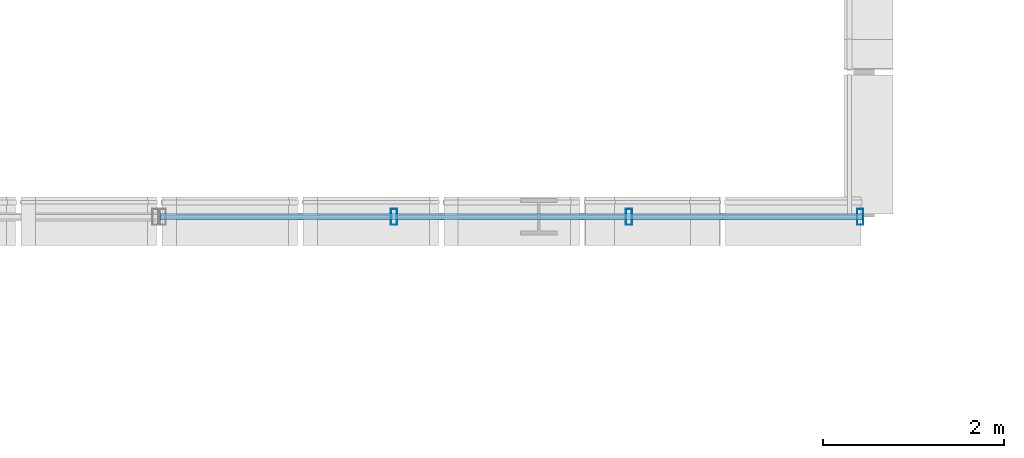
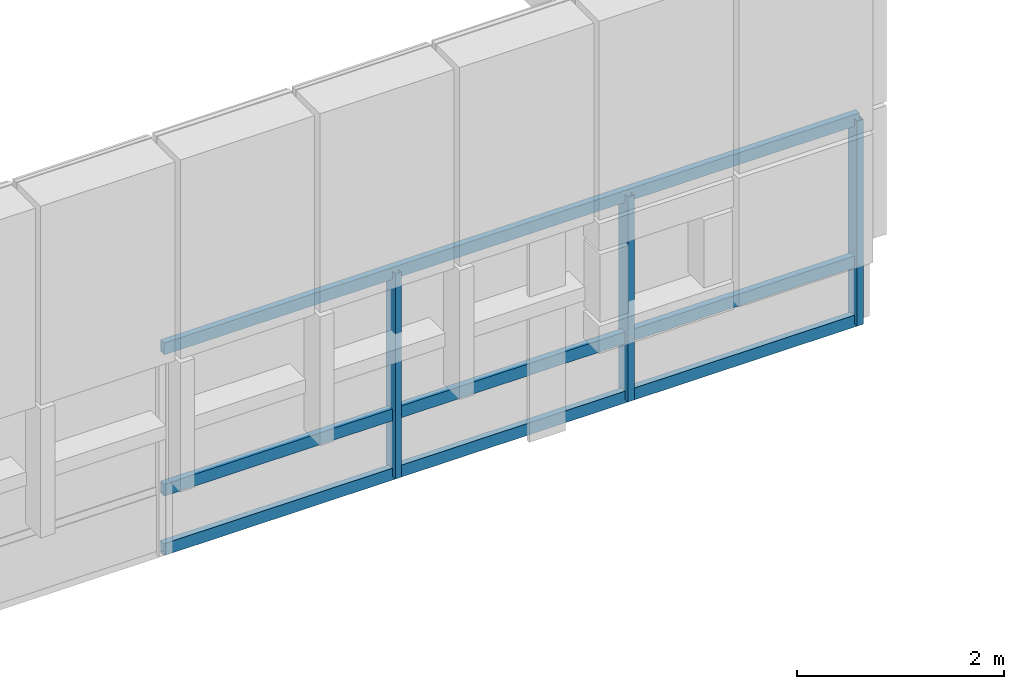
# One storey, part 15 of 96: 6 members, 1 element without a shape of its own.
"""IFC4 building model written with IfcOpenShell, lengths in metres."""

from ifc_helpers import new_model, si_unit, direction, frame, origin, origin_2d, place, context, subcontext, project, spatial, hollow_rectangle, extrude, material, material_profile, profile_set, type_object, element, aggregate, save


model = new_model("IFC4")

# Units and contexts
model_context = context("Model", 3, precision=1e-05, world=origin(), true_north=direction((0.0, 1.0)))
body_context = subcontext(model_context, "Body", "Model", "MODEL_VIEW")
ifc_project = project(units=[si_unit("LENGTHUNIT", "METRE"), si_unit("AREAUNIT", "SQUARE_METRE"), si_unit("VOLUMEUNIT", "CUBIC_METRE"), si_unit("PLANEANGLEUNIT", "RADIAN"), si_unit("MASSUNIT", "GRAM", prefix="KILO")], contexts=[model_context])

# Site, building, storey
site_placement = place(None, origin())
site = spatial("IfcSite", under=ifc_project, at=site_placement, CompositionType="ELEMENT")
building_placement = place(site_placement, origin())
building = spatial("IfcBuilding", under=site, at=building_placement, Name="Yarey Park Central Fire Station", CompositionType="ELEMENT")
storey_placement = place(building_placement, frame((0.0, 0.0, 14.39990234375)))
storey = spatial("IfcBuildingStorey", under=building, at=storey_placement, Name="L04", CompositionType="ELEMENT", Elevation=14.39990234375)

# Curtain wall, members
ifc_material = material(Name="Anodized Aluminium Frame", Category="aluminium")
curtain_wall_type = type_object("IfcCurtainWallType", Name="ENV_CW_V3_OVR2", PredefinedType="NOTDEFINED", material=ifc_material)
curtain_wall_placement = place(storey_placement, origin())
curtain_wall = element("IfcCurtainWall", 1, at=curtain_wall_placement, inside=storey, type_object=curtain_wall_type, Name="CW_L04_DRUM_N_072", PredefinedType="NOTDEFINED")
ifc_material_profile_1 = material_profile(ifc_material, hollow_rectangle(XDim=0.070068359375, YDim=0.179931640625, WallThickness=0.00390625, at=origin_2d()), Name="ALU 180x70x4")
ifc_profile_set_1 = profile_set([ifc_material_profile_1], Name="Anodized Aluminium Frame")
member_type_1 = type_object("IfcMemberType", Name="ENV_CW_MULLION", PredefinedType="MULLION", material=ifc_profile_set_1)
member_1_placement = place(storey_placement, frame((25.159912109375, 43.199951171875, 0.0), z_axis=(0.0, 0.0, 1.0), x_axis=(1.0, 0.0, 0.0)))
member_1 = element("IfcMember", 2, at=member_1_placement, type_object=member_type_1, Name="CW_L04_DRUM_N_072_MUL1", PredefinedType="MULLION", context=body_context, shape_type="SweptSolid", body=[
    extrude(hollow_rectangle(XDim=0.070068359375, YDim=0.179931640625, WallThickness=0.00390625, at=origin_2d()), origin(), (0.0, 0.0, 1.0), 2.420166015625),
])
member_2_placement = place(storey_placement, frame((22.60009765625, 43.199951171875, 0.0), z_axis=(0.0, 0.0, 1.0), x_axis=(1.0, 0.0, 0.0)))
member_2 = element("IfcMember", 3, at=member_2_placement, type_object=member_type_1, Name="CW_L04_DRUM_N_072_MUL2", PredefinedType="MULLION", context=body_context, shape_type="SweptSolid", body=[
    extrude(hollow_rectangle(XDim=0.070068359375, YDim=0.179931640625, WallThickness=0.00390625, at=origin_2d()), origin(), (0.0, 0.0, 1.0), 2.420166015625),
])
member_3_placement = place(storey_placement, frame((20.0, 43.199951171875, 0.0), z_axis=(0.0, 0.0, 1.0), x_axis=(1.0, 0.0, 0.0)))
member_3 = element("IfcMember", 4, at=member_3_placement, type_object=member_type_1, Name="CW_L04_DRUM_N_072_MUL3", PredefinedType="MULLION", context=body_context, shape_type="SweptSolid", body=[
    extrude(hollow_rectangle(XDim=0.070068359375, YDim=0.179931640625, WallThickness=0.00390625, at=origin_2d()), origin(), (0.0, 0.0, 1.0), 2.420166015625),
])
ifc_material_profile_2 = material_profile(ifc_material, hollow_rectangle(XDim=0.070068359375, YDim=0.139892578125, WallThickness=0.00390625, at=origin_2d()), Name="ALU 140x70x4")
ifc_profile_set_2 = profile_set([ifc_material_profile_2], Name="Anodized Aluminium Frame")
member_type_2 = type_object("IfcMemberType", Name="ENV_CW_TRANSOM", PredefinedType="USERDEFINED", material=ifc_profile_set_2)
member_4_placement = place(storey_placement, frame((25.18505859375, 43.199951171875, 0.025146484375), z_axis=(-1.0, 0.0, 0.0), x_axis=(0.0, -1.0, 0.0)))
member_4 = element("IfcMember", 5, at=member_4_placement, type_object=member_type_2, Name="CW_L04_DRUM_N_072_TRN1", ObjectType="TRANSOM", PredefinedType="USERDEFINED", context=body_context, shape_type="SweptSolid", body=[
    extrude(hollow_rectangle(XDim=0.070068359375, YDim=0.139892578125, WallThickness=0.00390625, at=origin_2d()), origin(), (0.0, 0.0, 1.0), 7.77001953125),
])
member_5_placement = place(storey_placement, frame((25.18505859375, 43.199951171875, 0.72607421875), z_axis=(-1.0, 0.0, 0.0), x_axis=(0.0, -1.0, 0.0)))
member_5 = element("IfcMember", 6, at=member_5_placement, type_object=member_type_2, Name="CW_L04_DRUM_N_072_TRN2", ObjectType="TRANSOM", PredefinedType="USERDEFINED", context=body_context, shape_type="SweptSolid", body=[
    extrude(hollow_rectangle(XDim=0.070068359375, YDim=0.139892578125, WallThickness=0.00390625, at=origin_2d()), origin(), (0.0, 0.0, 1.0), 7.77001953125),
])
member_6_placement = place(storey_placement, frame((25.18505859375, 43.199951171875, 2.39501953125), z_axis=(-1.0, 0.0, 0.0), x_axis=(0.0, -1.0, 0.0)))
member_6 = element("IfcMember", 7, at=member_6_placement, type_object=member_type_2, Name="CW_L04_DRUM_N_072_TRN3", ObjectType="TRANSOM", PredefinedType="USERDEFINED", context=body_context, shape_type="SweptSolid", body=[
    extrude(hollow_rectangle(XDim=0.070068359375, YDim=0.139892578125, WallThickness=0.00390625, at=origin_2d()), origin(), (0.0, 0.0, 1.0), 7.77001953125),
])
aggregate(curtain_wall, [member_1, member_2, member_3, member_4, member_5, member_6])

save(model, "model.ifc")
